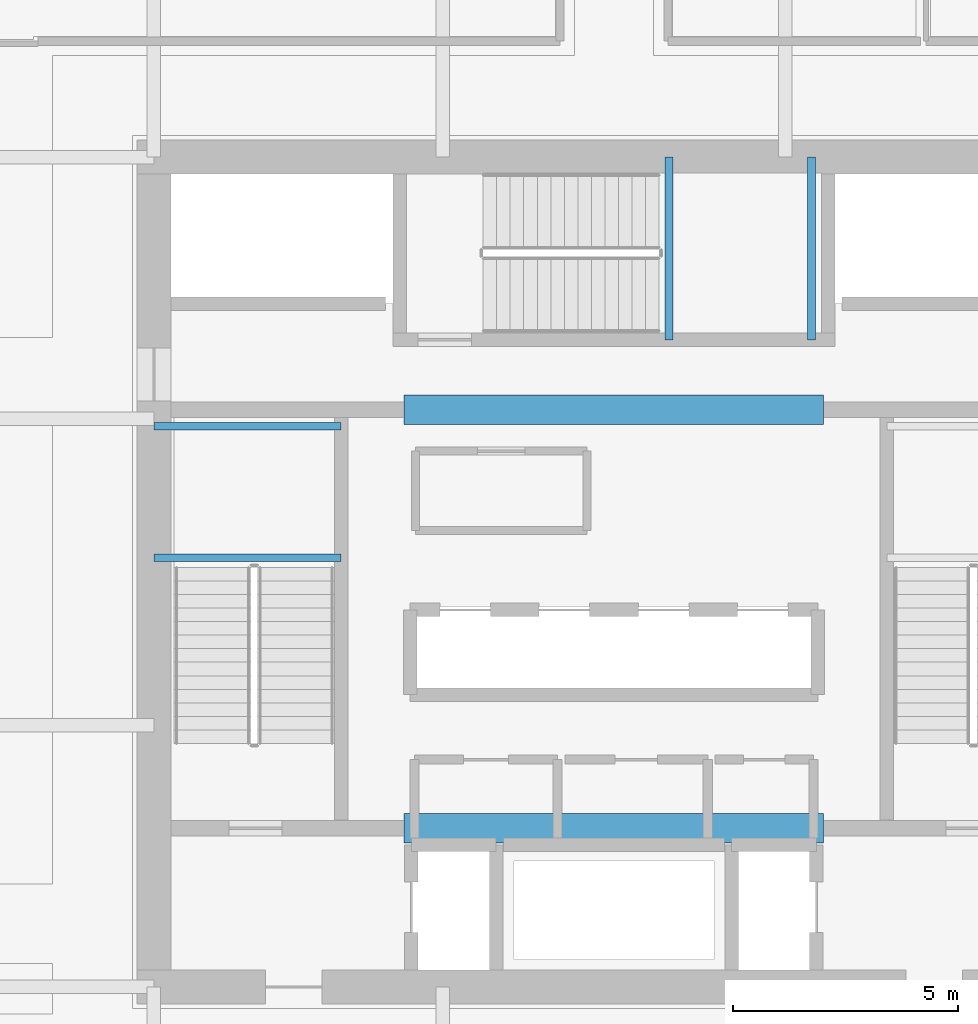
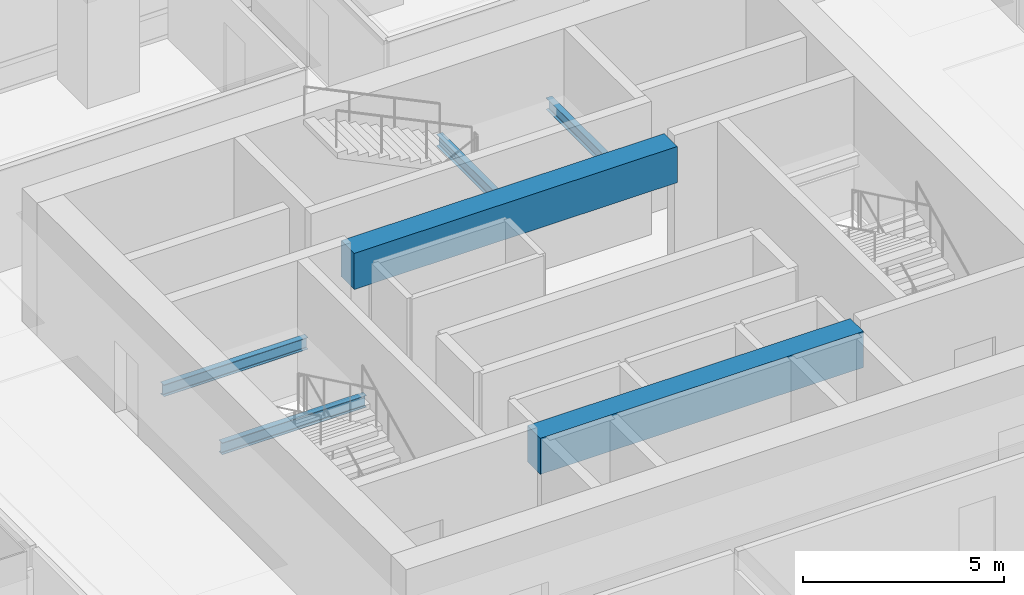
# One storey, part 12 of 36: 6 beams.
"""IFC4 building model written with IfcOpenShell, lengths in metres."""

from ifc_helpers import new_model, si_unit, direction, frame, origin, origin_2d, place, context, subcontext, project, spatial, rectangle, i_section, extrude, material, material_profile, profile_set, type_object, element, save


model = new_model("IFC4")

# Units and contexts
model_context = context("Model", 3, precision=1e-05, world=origin(), true_north=direction((0.0, 1.0)))
body_context = subcontext(model_context, "Body", "Model", "MODEL_VIEW")
ifc_project = project(units=[si_unit("LENGTHUNIT", "METRE"), si_unit("AREAUNIT", "SQUARE_METRE"), si_unit("VOLUMEUNIT", "CUBIC_METRE"), si_unit("PLANEANGLEUNIT", "RADIAN"), si_unit("MASSUNIT", "GRAM", prefix="KILO")], contexts=[model_context])

# Site, building, storey
site_placement = place(None, origin())
site = spatial("IfcSite", under=ifc_project, at=site_placement, CompositionType="ELEMENT")
building_placement = place(site_placement, origin())
building = spatial("IfcBuilding", under=site, at=building_placement, Name="Punatoya Terracotta Tower", CompositionType="ELEMENT")
storey_placement = place(building_placement, frame((0.0, 0.0, 40.35009765625)))
storey = spatial("IfcBuildingStorey", under=building, at=storey_placement, Name="L08", CompositionType="ELEMENT", Elevation=40.35009765625)

# Beams
ifc_material_1 = material(Name="Concrete C60/75", Category="concrete")
ifc_material_profile_1 = material_profile(ifc_material_1, rectangle(XDim=0.64990234375, YDim=1.10009765625, at=origin_2d()))
ifc_profile_set_1 = profile_set([ifc_material_profile_1], Name="Concrete C60/75")
beam_type_1 = type_object("IfcBeamType", Name="BM-RC-1100", PredefinedType="LINTEL", material=ifc_profile_set_1)
for number, where, z_axis, x_axis, name in (
    (1, (-4.64990234375, -5.679931640625, 3.260009765625), (1.0, 0.0, 0.0), (0.0, 1.0, 0.0), "L08 Core Coupling Lintel CSW"),
    (2, (-4.64990234375, 3.60009765625, 3.260009765625), (1.0, 0.0, 0.0), (0.0, 1.0, 0.0), "L08 Core Coupling Lintel CNW"),
):
    element("IfcBeam", number, at=place(storey_placement, frame(where, z_axis=z_axis, x_axis=x_axis)), inside=storey, type_object=beam_type_1, Name=name, PredefinedType="LINTEL", context=body_context, shape_type="SweptSolid", body=[
        extrude(rectangle(XDim=0.64990234375, YDim=1.10009765625, at=origin_2d()), origin(), (0.0, 0.0, 1.0), 9.2998046875),
    ])
ifc_material_2 = material(Name="Steel S355", Category="steel")
ifc_material_profile_2 = material_profile(ifc_material_2, i_section(OverallWidth=0.169921875, OverallDepth=0.360107421875, WebThickness=0.008056640625, FlangeThickness=0.0126953125, FilletRadius=0.01806640625, at=origin_2d()))
ifc_profile_set_2 = profile_set([ifc_material_profile_2], Name="Steel S355")
beam_type_2 = type_object("IfcBeamType", Name="BM-SEC-360", PredefinedType="JOIST", material=ifc_profile_set_2)
for number, where, z_axis, x_axis, name in (
    (3, (-10.199951171875, 0.320068359375, 1.64501953125), (1.0, 0.0, 0.0), (0.0, 1.0, 0.0), "BM-L08-ST-1-LD1A"),
    (4, (-10.199951171875, 3.22998046875, 1.64501953125), (1.0, 0.0, 0.0), (0.0, 1.0, 0.0), "BM-L08-ST-1-LD1B"),
):
    element("IfcBeam", number, at=place(storey_placement, frame(where, z_axis=z_axis, x_axis=x_axis)), inside=storey, type_object=beam_type_2, Name=name, PredefinedType="JOIST", context=body_context, shape_type="SweptSolid", body=[
        extrude(i_section(OverallWidth=0.169921875, OverallDepth=0.360107421875, WebThickness=0.008056640625, FlangeThickness=0.0126953125, FilletRadius=0.01806640625, at=origin_2d()), origin(), (0.0, 0.0, 1.0), 4.14990234375),
    ])
for number, where, z_axis, x_axis, name in (
    (5, (1.219970703125, 5.14990234375, 1.64501953125), (0.0, 1.0, 0.0), (-1.0, 0.0, 0.0), "BM-L08-ST-3-LD1A"),
    (6, (4.3798828125, 5.14990234375, 1.64501953125), (0.0, 1.0, 0.0), (-1.0, 0.0, 0.0), "BM-L08-ST-3-LD1B"),
):
    element("IfcBeam", number, at=place(storey_placement, frame(where, z_axis=z_axis, x_axis=x_axis)), inside=storey, type_object=beam_type_2, Name=name, PredefinedType="JOIST", context=body_context, shape_type="SweptSolid", body=[
        extrude(i_section(OverallWidth=0.169921875, OverallDepth=0.360107421875, WebThickness=0.008056640625, FlangeThickness=0.0126953125, FilletRadius=0.01806640625, at=origin_2d()), origin(), (0.0, 0.0, 1.0), 4.050048828125),
    ])

save(model, "model.ifc")
